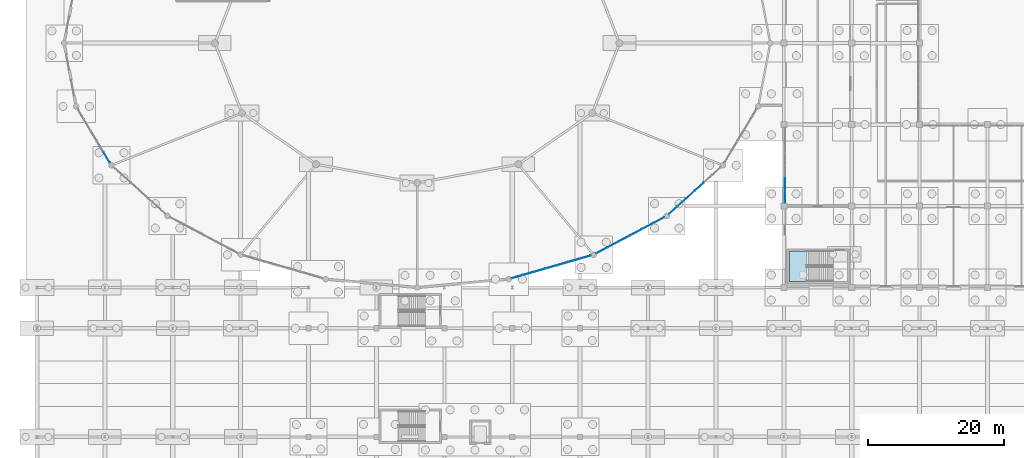
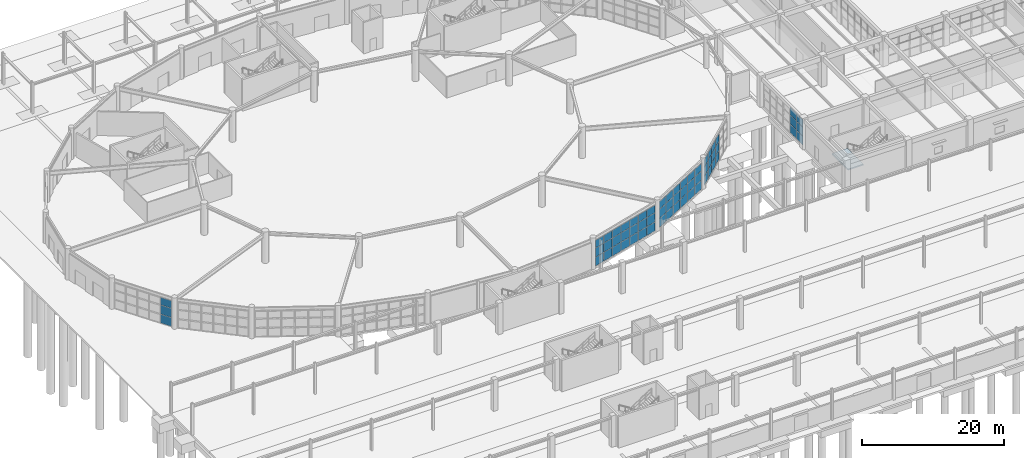
# One storey, part 66 of 99: 60 plates, 1 slab, 6 elements without a shape of their own.
"""IFC4 building model written with IfcOpenShell, lengths in metres."""

from ifc_helpers import new_model, si_unit, direction, frame, origin, origin_2d, place, context, subcontext, project, spatial, polyline, rectangle, outline, extrude, material, layer, layer_set, type_object, element, aggregate, save


model = new_model("IFC4")

# Units and contexts
model_context = context("Model", 3, precision=1e-05, world=origin(), true_north=direction((0.0, 1.0)))
body_context = subcontext(model_context, "Body", "Model", "MODEL_VIEW")
ifc_project = project(units=[si_unit("LENGTHUNIT", "METRE"), si_unit("AREAUNIT", "SQUARE_METRE"), si_unit("VOLUMEUNIT", "CUBIC_METRE"), si_unit("PLANEANGLEUNIT", "RADIAN"), si_unit("MASSUNIT", "GRAM", prefix="KILO")], contexts=[model_context])

# Site, building, storey
site_placement = place(None, origin())
site = spatial("IfcSite", under=ifc_project, at=site_placement, CompositionType="ELEMENT")
building_placement = place(site_placement, origin())
building = spatial("IfcBuilding", under=site, at=building_placement, Name="Kivolera Central Railway Station", CompositionType="ELEMENT")
storey_placement = place(building_placement, origin())
storey = spatial("IfcBuildingStorey", under=building, at=storey_placement, Name="L00", CompositionType="ELEMENT", Elevation=0.0)

# Curtain wall, plates
ifc_material_1 = material(Name="Anodised aluminium", Category="aluminium")
ifc_layer_1 = layer(ifc_material_1, 0.179931640625, Name="Anodised aluminium")
ifc_layer_set_1 = layer_set([ifc_layer_1], Name="Anodised aluminium")
curtain_wall_type_1 = type_object("IfcCurtainWallType", Name="CW-SYS-07", PredefinedType="NOTDEFINED", material=ifc_layer_set_1)
curtain_wall_1_placement = place(storey_placement, origin())
curtain_wall_1 = element("IfcCurtainWall", 1, at=curtain_wall_1_placement, inside=storey, type_object=curtain_wall_type_1, Name="L00 Curtain Wall CW-L00-OVL-20", PredefinedType="NOTDEFINED")
ifc_material_2 = material(Name="Double low-E laminated glass", Category="glass")
ifc_layer_2 = layer(ifc_material_2, 0.02587890625, Name="Double low-E laminated glass")
ifc_layer_set_2 = layer_set([ifc_layer_2], Name="Double low-E laminated glass")
plate_type_1 = type_object("IfcPlateType", Name="CWP-GLZ-1", PredefinedType="CURTAIN_PANEL", material=ifc_layer_set_2)
plate_1_placement = place(storey_placement, frame((99.56298828125, 63.90234375, 0.05810546875), z_axis=(0.0, 0.0, 1.0), x_axis=(-0.883170250772, -0.46905256438, 0.0)))
plate_1 = element("IfcPlate", 2, at=plate_1_placement, type_object=plate_type_1, Name="CW-07 panel 1.1", PredefinedType="CURTAIN_PANEL", context=body_context, shape_type="SweptSolid", body=[
    extrude(rectangle(XDim=1.818115234375, YDim=0.02587890625, at=origin_2d()), origin(), (0.0, 0.0, 1.0), 1.511474609375),
])
plate_2_placement = place(storey_placement, frame((99.56298828125, 63.90234375, 1.615478515625), z_axis=(0.0, 0.0, 1.0), x_axis=(-0.883170250772, -0.46905256438, 0.0)))
plate_2 = element("IfcPlate", 3, at=plate_2_placement, type_object=plate_type_1, Name="CW-07 panel 1.2", PredefinedType="CURTAIN_PANEL", context=body_context, shape_type="SweptSolid", body=[
    extrude(rectangle(XDim=1.818115234375, YDim=0.02587890625, at=origin_2d()), origin(), (0.0, 0.0, 1.0), 1.54638671875),
])
plate_3_placement = place(storey_placement, frame((99.56298828125, 63.90234375, 3.2080078125), z_axis=(0.0, 0.0, 1.0), x_axis=(-0.883170250772, -0.46905256438, 0.0)))
plate_3 = element("IfcPlate", 4, at=plate_3_placement, type_object=plate_type_1, Name="CW-07 panel 1.3", PredefinedType="CURTAIN_PANEL", context=body_context, shape_type="SweptSolid", body=[
    extrude(rectangle(XDim=1.818115234375, YDim=0.02587890625, at=origin_2d()), origin(), (0.0, 0.0, 1.0), 1.283935546875),
])
plate_4_placement = place(storey_placement, frame((97.90087890625, 63.019775390625, 0.05810546875), z_axis=(0.0, 0.0, 1.0), x_axis=(-0.883170250772, -0.46905256438, 0.0)))
plate_4 = element("IfcPlate", 5, at=plate_4_placement, type_object=plate_type_1, Name="CW-07 panel 2.1", PredefinedType="CURTAIN_PANEL", context=body_context, shape_type="SweptSolid", body=[
    extrude(rectangle(XDim=1.853271484375, YDim=0.02587890625, at=origin_2d()), origin(), (0.0, 0.0, 1.0), 1.511474609375),
])
plate_5_placement = place(storey_placement, frame((97.90087890625, 63.019775390625, 1.615478515625), z_axis=(0.0, 0.0, 1.0), x_axis=(-0.883170250772, -0.46905256438, 0.0)))
plate_5 = element("IfcPlate", 6, at=plate_5_placement, type_object=plate_type_1, Name="CW-07 panel 2.2", PredefinedType="CURTAIN_PANEL", context=body_context, shape_type="SweptSolid", body=[
    extrude(rectangle(XDim=1.853271484375, YDim=0.02587890625, at=origin_2d()), origin(), (0.0, 0.0, 1.0), 1.54638671875),
])
plate_6_placement = place(storey_placement, frame((97.90087890625, 63.019775390625, 3.2080078125), z_axis=(0.0, 0.0, 1.0), x_axis=(-0.883170250772, -0.46905256438, 0.0)))
plate_6 = element("IfcPlate", 7, at=plate_6_placement, type_object=plate_type_1, Name="CW-07 panel 2.3", PredefinedType="CURTAIN_PANEL", context=body_context, shape_type="SweptSolid", body=[
    extrude(rectangle(XDim=1.853271484375, YDim=0.02587890625, at=origin_2d()), origin(), (0.0, 0.0, 1.0), 1.283935546875),
])
plate_7_placement = place(storey_placement, frame((96.2236328125, 62.12890625, 0.05810546875), z_axis=(0.0, 0.0, 1.0), x_axis=(-0.883170250772, -0.46905256438, 0.0)))
plate_7 = element("IfcPlate", 8, at=plate_7_placement, type_object=plate_type_1, Name="CW-07 panel 3.1", PredefinedType="CURTAIN_PANEL", context=body_context, shape_type="SweptSolid", body=[
    extrude(rectangle(XDim=1.853271484375, YDim=0.02587890625, at=origin_2d()), origin(), (0.0, 0.0, 1.0), 1.511474609375),
])
plate_8_placement = place(storey_placement, frame((96.2236328125, 62.12890625, 1.615478515625), z_axis=(0.0, 0.0, 1.0), x_axis=(-0.883170250772, -0.46905256438, 0.0)))
plate_8 = element("IfcPlate", 9, at=plate_8_placement, type_object=plate_type_1, Name="CW-07 panel 3.2", PredefinedType="CURTAIN_PANEL", context=body_context, shape_type="SweptSolid", body=[
    extrude(rectangle(XDim=1.853271484375, YDim=0.02587890625, at=origin_2d()), origin(), (0.0, 0.0, 1.0), 1.54638671875),
])
plate_9_placement = place(storey_placement, frame((96.2236328125, 62.12890625, 3.2080078125), z_axis=(0.0, 0.0, 1.0), x_axis=(-0.883170250772, -0.46905256438, 0.0)))
plate_9 = element("IfcPlate", 10, at=plate_9_placement, type_object=plate_type_1, Name="CW-07 panel 3.3", PredefinedType="CURTAIN_PANEL", context=body_context, shape_type="SweptSolid", body=[
    extrude(rectangle(XDim=1.853271484375, YDim=0.02587890625, at=origin_2d()), origin(), (0.0, 0.0, 1.0), 1.283935546875),
])
plate_10_placement = place(storey_placement, frame((94.54638671875, 61.238037109375, 0.05810546875), z_axis=(0.0, 0.0, 1.0), x_axis=(-0.883170250772, -0.46905256438, 0.0)))
plate_10 = element("IfcPlate", 11, at=plate_10_placement, type_object=plate_type_1, Name="CW-07 panel 4.1", PredefinedType="CURTAIN_PANEL", context=body_context, shape_type="SweptSolid", body=[
    extrude(rectangle(XDim=1.853271484375, YDim=0.02587890625, at=origin_2d()), origin(), (0.0, 0.0, 1.0), 1.511474609375),
])
plate_11_placement = place(storey_placement, frame((94.54638671875, 61.238037109375, 1.615478515625), z_axis=(0.0, 0.0, 1.0), x_axis=(-0.883170250772, -0.46905256438, 0.0)))
plate_11 = element("IfcPlate", 12, at=plate_11_placement, type_object=plate_type_1, Name="CW-07 panel 4.2", PredefinedType="CURTAIN_PANEL", context=body_context, shape_type="SweptSolid", body=[
    extrude(rectangle(XDim=1.853271484375, YDim=0.02587890625, at=origin_2d()), origin(), (0.0, 0.0, 1.0), 1.54638671875),
])
plate_12_placement = place(storey_placement, frame((94.54638671875, 61.238037109375, 3.2080078125), z_axis=(0.0, 0.0, 1.0), x_axis=(-0.883170250772, -0.46905256438, 0.0)))
plate_12 = element("IfcPlate", 13, at=plate_12_placement, type_object=plate_type_1, Name="CW-07 panel 4.3", PredefinedType="CURTAIN_PANEL", context=body_context, shape_type="SweptSolid", body=[
    extrude(rectangle(XDim=1.853271484375, YDim=0.02587890625, at=origin_2d()), origin(), (0.0, 0.0, 1.0), 1.283935546875),
])
plate_13_placement = place(storey_placement, frame((92.868896484375, 60.34716796875, 0.05810546875), z_axis=(0.0, 0.0, 1.0), x_axis=(-0.883170250772, -0.46905256438, 0.0)))
plate_13 = element("IfcPlate", 14, at=plate_13_placement, type_object=plate_type_1, Name="CW-07 panel 5.1", PredefinedType="CURTAIN_PANEL", context=body_context, shape_type="SweptSolid", body=[
    extrude(rectangle(XDim=1.853271484375, YDim=0.02587890625, at=origin_2d()), origin(), (0.0, 0.0, 1.0), 1.511474609375),
])
plate_14_placement = place(storey_placement, frame((92.868896484375, 60.34716796875, 1.615478515625), z_axis=(0.0, 0.0, 1.0), x_axis=(-0.883170250772, -0.46905256438, 0.0)))
plate_14 = element("IfcPlate", 15, at=plate_14_placement, type_object=plate_type_1, Name="CW-07 panel 5.2", PredefinedType="CURTAIN_PANEL", context=body_context, shape_type="SweptSolid", body=[
    extrude(rectangle(XDim=1.853271484375, YDim=0.02587890625, at=origin_2d()), origin(), (0.0, 0.0, 1.0), 1.54638671875),
])
plate_15_placement = place(storey_placement, frame((92.868896484375, 60.34716796875, 3.2080078125), z_axis=(0.0, 0.0, 1.0), x_axis=(-0.883170250772, -0.46905256438, 0.0)))
plate_15 = element("IfcPlate", 16, at=plate_15_placement, type_object=plate_type_1, Name="CW-07 panel 5.3", PredefinedType="CURTAIN_PANEL", context=body_context, shape_type="SweptSolid", body=[
    extrude(rectangle(XDim=1.853271484375, YDim=0.02587890625, at=origin_2d()), origin(), (0.0, 0.0, 1.0), 1.283935546875),
])
plate_16_placement = place(storey_placement, frame((91.20703125, 59.464599609375, 0.05810546875), z_axis=(0.0, 0.0, 1.0), x_axis=(-0.883170250772, -0.46905256438, 0.0)))
plate_16 = element("IfcPlate", 17, at=plate_16_placement, type_object=plate_type_1, Name="CW-07 panel 6.1", PredefinedType="CURTAIN_PANEL", context=body_context, shape_type="SweptSolid", body=[
    extrude(rectangle(XDim=1.818115234375, YDim=0.02587890625, at=origin_2d()), origin(), (0.0, 0.0, 1.0), 1.511474609375),
])
plate_17_placement = place(storey_placement, frame((91.20703125, 59.464599609375, 1.615478515625), z_axis=(0.0, 0.0, 1.0), x_axis=(-0.883170250772, -0.46905256438, 0.0)))
plate_17 = element("IfcPlate", 18, at=plate_17_placement, type_object=plate_type_1, Name="CW-07 panel 6.2", PredefinedType="CURTAIN_PANEL", context=body_context, shape_type="SweptSolid", body=[
    extrude(rectangle(XDim=1.818115234375, YDim=0.02587890625, at=origin_2d()), origin(), (0.0, 0.0, 1.0), 1.54638671875),
])
plate_18_placement = place(storey_placement, frame((91.20703125, 59.464599609375, 3.2080078125), z_axis=(0.0, 0.0, 1.0), x_axis=(-0.883170250772, -0.46905256438, 0.0)))
plate_18 = element("IfcPlate", 19, at=plate_18_placement, type_object=plate_type_1, Name="CW-07 panel 6.3", PredefinedType="CURTAIN_PANEL", context=body_context, shape_type="SweptSolid", body=[
    extrude(rectangle(XDim=1.818115234375, YDim=0.02587890625, at=origin_2d()), origin(), (0.0, 0.0, 1.0), 1.283935546875),
])
aggregate(curtain_wall_1, [plate_1, plate_2, plate_3, plate_4, plate_5, plate_6, plate_7, plate_8, plate_9, plate_10, plate_11, plate_12, plate_13, plate_14, plate_15, plate_16, plate_17, plate_18])

ifc_layer_3 = layer(ifc_material_1, 0.179931640625, Name="Anodised aluminium")
ifc_layer_set_3 = layer_set([ifc_layer_3], Name="Anodised aluminium")
curtain_wall_type_2 = type_object("IfcCurtainWallType", Name="CW-SYS-04", PredefinedType="NOTDEFINED", material=ifc_layer_set_3)
curtain_wall_2_placement = place(storey_placement, origin())
curtain_wall_2 = element("IfcCurtainWall", 20, at=curtain_wall_2_placement, inside=storey, type_object=curtain_wall_type_2, Name="L00 Curtain Wall CW-L00-OVL-21", PredefinedType="NOTDEFINED")
ifc_layer_4 = layer(ifc_material_2, 0.030029296875, Name="Double low-E laminated glass")
ifc_layer_set_4 = layer_set([ifc_layer_4], Name="Double low-E laminated glass")
plate_type_2 = type_object("IfcPlateType", Name="CWP-GLZ-2", PredefinedType="CURTAIN_PANEL", material=ifc_layer_set_4)
plate_19_placement = place(storey_placement, frame((105.54052734375, 68.8486328125, 0.05810546875), z_axis=(0.0, 0.0, 1.0), x_axis=(-0.742431873669, -0.669921572246, 0.0)))
plate_19 = element("IfcPlate", 21, at=plate_19_placement, type_object=plate_type_2, Name="CW-04 panel 3.1", PredefinedType="CURTAIN_PANEL", context=body_context, shape_type="SweptSolid", body=[
    extrude(rectangle(XDim=1.675537109375, YDim=0.030029296875, at=origin_2d()), origin(), (0.0, 0.0, 1.0), 1.511474609375),
])
plate_20_placement = place(storey_placement, frame((105.54052734375, 68.8486328125, 1.615478515625), z_axis=(0.0, 0.0, 1.0), x_axis=(-0.742431873669, -0.669921572246, 0.0)))
plate_20 = element("IfcPlate", 22, at=plate_20_placement, type_object=plate_type_2, Name="CW-04 panel 3.2", PredefinedType="CURTAIN_PANEL", context=body_context, shape_type="SweptSolid", body=[
    extrude(rectangle(XDim=1.675537109375, YDim=0.030029296875, at=origin_2d()), origin(), (0.0, 0.0, 1.0), 1.54638671875),
])
plate_21_placement = place(storey_placement, frame((105.54052734375, 68.8486328125, 3.2080078125), z_axis=(0.0, 0.0, 1.0), x_axis=(-0.742431873669, -0.669921572246, 0.0)))
plate_21 = element("IfcPlate", 23, at=plate_21_placement, type_object=plate_type_2, Name="CW-04 panel 3.3", PredefinedType="CURTAIN_PANEL", context=body_context, shape_type="SweptSolid", body=[
    extrude(rectangle(XDim=1.675537109375, YDim=0.030029296875, at=origin_2d()), origin(), (0.0, 0.0, 1.0), 1.283935546875),
])
plate_22_placement = place(storey_placement, frame((104.262451171875, 67.6953125, 0.05810546875), z_axis=(0.0, 0.0, 1.0), x_axis=(-0.742431873669, -0.669921572246, 0.0)))
plate_22 = element("IfcPlate", 24, at=plate_22_placement, type_object=plate_type_2, Name="CW-04 panel 4.1", PredefinedType="CURTAIN_PANEL", context=body_context, shape_type="SweptSolid", body=[
    extrude(rectangle(XDim=1.675537109375, YDim=0.030029296875, at=origin_2d()), origin(), (0.0, 0.0, 1.0), 1.511474609375),
])
plate_23_placement = place(storey_placement, frame((104.262451171875, 67.6953125, 1.615478515625), z_axis=(0.0, 0.0, 1.0), x_axis=(-0.742431873669, -0.669921572246, 0.0)))
plate_23 = element("IfcPlate", 25, at=plate_23_placement, type_object=plate_type_2, Name="CW-04 panel 4.2", PredefinedType="CURTAIN_PANEL", context=body_context, shape_type="SweptSolid", body=[
    extrude(rectangle(XDim=1.675537109375, YDim=0.030029296875, at=origin_2d()), origin(), (0.0, 0.0, 1.0), 1.54638671875),
])
plate_24_placement = place(storey_placement, frame((104.262451171875, 67.6953125, 3.2080078125), z_axis=(0.0, 0.0, 1.0), x_axis=(-0.742431873669, -0.669921572246, 0.0)))
plate_24 = element("IfcPlate", 26, at=plate_24_placement, type_object=plate_type_2, Name="CW-04 panel 4.3", PredefinedType="CURTAIN_PANEL", context=body_context, shape_type="SweptSolid", body=[
    extrude(rectangle(XDim=1.675537109375, YDim=0.030029296875, at=origin_2d()), origin(), (0.0, 0.0, 1.0), 1.283935546875),
])
plate_25_placement = place(storey_placement, frame((102.984130859375, 66.5419921875, 0.05810546875), z_axis=(0.0, 0.0, 1.0), x_axis=(-0.742431873669, -0.669921572246, 0.0)))
plate_25 = element("IfcPlate", 27, at=plate_25_placement, type_object=plate_type_2, Name="CW-04 panel 5.1", PredefinedType="CURTAIN_PANEL", context=body_context, shape_type="SweptSolid", body=[
    extrude(rectangle(XDim=1.675537109375, YDim=0.030029296875, at=origin_2d()), origin(), (0.0, 0.0, 1.0), 1.511474609375),
])
plate_26_placement = place(storey_placement, frame((102.984130859375, 66.5419921875, 1.615478515625), z_axis=(0.0, 0.0, 1.0), x_axis=(-0.742431873669, -0.669921572246, 0.0)))
plate_26 = element("IfcPlate", 28, at=plate_26_placement, type_object=plate_type_2, Name="CW-04 panel 5.2", PredefinedType="CURTAIN_PANEL", context=body_context, shape_type="SweptSolid", body=[
    extrude(rectangle(XDim=1.675537109375, YDim=0.030029296875, at=origin_2d()), origin(), (0.0, 0.0, 1.0), 1.54638671875),
])
plate_27_placement = place(storey_placement, frame((102.984130859375, 66.5419921875, 3.2080078125), z_axis=(0.0, 0.0, 1.0), x_axis=(-0.742431873669, -0.669921572246, 0.0)))
plate_27 = element("IfcPlate", 29, at=plate_27_placement, type_object=plate_type_2, Name="CW-04 panel 5.3", PredefinedType="CURTAIN_PANEL", context=body_context, shape_type="SweptSolid", body=[
    extrude(rectangle(XDim=1.675537109375, YDim=0.030029296875, at=origin_2d()), origin(), (0.0, 0.0, 1.0), 1.283935546875),
])
plate_28_placement = place(storey_placement, frame((101.718994140625, 65.400390625, 0.05810546875), z_axis=(0.0, 0.0, 1.0), x_axis=(-0.742431873669, -0.669921572246, 0.0)))
plate_28 = element("IfcPlate", 30, at=plate_28_placement, type_object=plate_type_2, Name="CW-04 panel 6.1", PredefinedType="CURTAIN_PANEL", context=body_context, shape_type="SweptSolid", body=[
    extrude(rectangle(XDim=1.640625, YDim=0.030029296875, at=origin_2d()), origin(), (0.0, 0.0, 1.0), 1.511474609375),
])
plate_29_placement = place(storey_placement, frame((101.718994140625, 65.400390625, 1.615478515625), z_axis=(0.0, 0.0, 1.0), x_axis=(-0.742431873669, -0.669921572246, 0.0)))
plate_29 = element("IfcPlate", 31, at=plate_29_placement, type_object=plate_type_2, Name="CW-04 panel 6.2", PredefinedType="CURTAIN_PANEL", context=body_context, shape_type="SweptSolid", body=[
    extrude(rectangle(XDim=1.640625, YDim=0.030029296875, at=origin_2d()), origin(), (0.0, 0.0, 1.0), 1.54638671875),
])
plate_30_placement = place(storey_placement, frame((101.718994140625, 65.400390625, 3.2080078125), z_axis=(0.0, 0.0, 1.0), x_axis=(-0.742431873669, -0.669921572246, 0.0)))
plate_30 = element("IfcPlate", 32, at=plate_30_placement, type_object=plate_type_2, Name="CW-04 panel 6.3", PredefinedType="CURTAIN_PANEL", context=body_context, shape_type="SweptSolid", body=[
    extrude(rectangle(XDim=1.640625, YDim=0.030029296875, at=origin_2d()), origin(), (0.0, 0.0, 1.0), 1.283935546875),
])
aggregate(curtain_wall_2, [plate_19, plate_20, plate_21, plate_22, plate_23, plate_24, plate_25, plate_26, plate_27, plate_28, plate_29, plate_30])

ifc_layer_5 = layer(ifc_material_1, 0.179931640625, Name="Anodised aluminium")
ifc_layer_set_5 = layer_set([ifc_layer_5], Name="Anodised aluminium")
curtain_wall_type_3 = type_object("IfcCurtainWallType", Name="CW-SYS-23", PredefinedType="NOTDEFINED", material=ifc_layer_set_5)
curtain_wall_3_placement = place(storey_placement, origin())
curtain_wall_3 = element("IfcCurtainWall", 33, at=curtain_wall_3_placement, inside=storey, type_object=curtain_wall_type_3, Name="L00 Curtain Wall CW-L00-WEST-F", PredefinedType="NOTDEFINED")
plate_31_placement = place(storey_placement, frame((118.169921875, 67.388427734375, 0.05810546875), z_axis=(0.0, 0.0, 1.0), x_axis=(0.0, 1.0, 0.0)))
plate_31 = element("IfcPlate", 34, at=plate_31_placement, type_object=plate_type_2, Name="CW-23 panel 1.1", PredefinedType="CURTAIN_PANEL", context=body_context, shape_type="SweptSolid", body=[
    extrude(rectangle(XDim=1.770751953125, YDim=0.030029296875, at=origin_2d()), origin(), (0.0, 0.0, 1.0), 1.479248046875),
])
plate_32_placement = place(storey_placement, frame((118.169921875, 67.388427734375, 1.5830078125), z_axis=(0.0, 0.0, 1.0), x_axis=(0.0, 1.0, 0.0)))
plate_32 = element("IfcPlate", 35, at=plate_32_placement, type_object=plate_type_2, Name="CW-23 panel 1.2", PredefinedType="CURTAIN_PANEL", context=body_context, shape_type="SweptSolid", body=[
    extrude(rectangle(XDim=1.770751953125, YDim=0.030029296875, at=origin_2d()), origin(), (0.0, 0.0, 1.0), 1.514404296875),
])
plate_33_placement = place(storey_placement, frame((118.169921875, 67.388427734375, 3.1435546875), z_axis=(0.0, 0.0, 1.0), x_axis=(0.0, 1.0, 0.0)))
plate_33 = element("IfcPlate", 36, at=plate_33_placement, type_object=plate_type_2, Name="CW-23 panel 1.3", PredefinedType="CURTAIN_PANEL", context=body_context, shape_type="SweptSolid", body=[
    extrude(rectangle(XDim=1.770751953125, YDim=0.030029296875, at=origin_2d()), origin(), (0.0, 0.0, 1.0), 1.25634765625),
])
plate_34_placement = place(storey_placement, frame((118.169921875, 69.222412109375, 0.05810546875), z_axis=(0.0, 0.0, 1.0), x_axis=(0.0, 1.0, 0.0)))
plate_34 = element("IfcPlate", 37, at=plate_34_placement, type_object=plate_type_2, Name="CW-23 panel 2.1", PredefinedType="CURTAIN_PANEL", context=body_context, shape_type="SweptSolid", body=[
    extrude(rectangle(XDim=1.8056640625, YDim=0.030029296875, at=origin_2d()), origin(), (0.0, 0.0, 1.0), 1.479248046875),
])
plate_35_placement = place(storey_placement, frame((118.169921875, 69.222412109375, 1.5830078125), z_axis=(0.0, 0.0, 1.0), x_axis=(0.0, 1.0, 0.0)))
plate_35 = element("IfcPlate", 38, at=plate_35_placement, type_object=plate_type_2, Name="CW-23 panel 2.2", PredefinedType="CURTAIN_PANEL", context=body_context, shape_type="SweptSolid", body=[
    extrude(rectangle(XDim=1.8056640625, YDim=0.030029296875, at=origin_2d()), origin(), (0.0, 0.0, 1.0), 1.514404296875),
])
plate_36_placement = place(storey_placement, frame((118.169921875, 69.222412109375, 3.1435546875), z_axis=(0.0, 0.0, 1.0), x_axis=(0.0, 1.0, 0.0)))
plate_36 = element("IfcPlate", 39, at=plate_36_placement, type_object=plate_type_2, Name="CW-23 panel 2.3", PredefinedType="CURTAIN_PANEL", context=body_context, shape_type="SweptSolid", body=[
    extrude(rectangle(XDim=1.8056640625, YDim=0.030029296875, at=origin_2d()), origin(), (0.0, 0.0, 1.0), 1.25634765625),
])
aggregate(curtain_wall_3, [plate_31, plate_32, plate_33, plate_34, plate_35, plate_36])

ifc_layer_6 = layer(ifc_material_1, 0.179931640625, Name="Anodised aluminium")
ifc_layer_set_6 = layer_set([ifc_layer_6], Name="Anodised aluminium")
curtain_wall_type_4 = type_object("IfcCurtainWallType", Name="CW-SYS-01", PredefinedType="NOTDEFINED", material=ifc_layer_set_6)
curtain_wall_4_placement = place(storey_placement, origin())
curtain_wall_4 = element("IfcCurtainWall", 40, at=curtain_wall_4_placement, inside=storey, type_object=curtain_wall_type_4, Name="L00 Curtain Wall CW-L00-OVL-13", PredefinedType="NOTDEFINED")
ifc_layer_7 = layer(ifc_material_2, 0.0380859375, Name="Double low-E laminated glass")
ifc_layer_set_7 = layer_set([ifc_layer_7], Name="Double low-E laminated glass")
plate_type_3 = type_object("IfcPlateType", Name="CWP-GLZ-4", PredefinedType="CURTAIN_PANEL", material=ifc_layer_set_7)
plate_37_placement = place(storey_placement, frame((18.2744140625, 73.15771484375, 0.05810546875), z_axis=(0.0, 0.0, 1.0), x_axis=(-0.513453894052, 0.858117182372, 0.0)))
plate_37 = element("IfcPlate", 41, at=plate_37_placement, type_object=plate_type_3, Name="CW-01 panel 1.1", PredefinedType="CURTAIN_PANEL", context=body_context, shape_type="SweptSolid", body=[
    extrude(rectangle(XDim=1.782958984375, YDim=0.0380859375, at=origin_2d()), origin(), (0.0, 0.0, 1.0), 1.511474609375),
])
plate_38_placement = place(storey_placement, frame((18.2744140625, 73.15771484375, 1.615478515625), z_axis=(0.0, 0.0, 1.0), x_axis=(-0.513453894052, 0.858117182372, 0.0)))
plate_38 = element("IfcPlate", 42, at=plate_38_placement, type_object=plate_type_3, Name="CW-01 panel 1.2", PredefinedType="CURTAIN_PANEL", context=body_context, shape_type="SweptSolid", body=[
    extrude(rectangle(XDim=1.782958984375, YDim=0.0380859375, at=origin_2d()), origin(), (0.0, 0.0, 1.0), 1.54638671875),
])
plate_39_placement = place(storey_placement, frame((18.2744140625, 73.15771484375, 3.2080078125), z_axis=(0.0, 0.0, 1.0), x_axis=(-0.513453894052, 0.858117182372, 0.0)))
plate_39 = element("IfcPlate", 43, at=plate_39_placement, type_object=plate_type_3, Name="CW-01 panel 1.3", PredefinedType="CURTAIN_PANEL", context=body_context, shape_type="SweptSolid", body=[
    extrude(rectangle(XDim=1.782958984375, YDim=0.0380859375, at=origin_2d()), origin(), (0.0, 0.0, 1.0), 1.283935546875),
])
aggregate(curtain_wall_4, [plate_37, plate_38, plate_39])

ifc_layer_8 = layer(ifc_material_1, 0.179931640625, Name="Anodised aluminium")
ifc_layer_set_8 = layer_set([ifc_layer_8], Name="Anodised aluminium")
curtain_wall_type_5 = type_object("IfcCurtainWallType", Name="CW-SYS-16", PredefinedType="NOTDEFINED", material=ifc_layer_set_8)
curtain_wall_5_placement = place(storey_placement, origin())
curtain_wall_5 = element("IfcCurtainWall", 44, at=curtain_wall_5_placement, inside=storey, type_object=curtain_wall_type_5, Name="L00 Curtain Wall CW-L00-OVL-19", PredefinedType="NOTDEFINED")
ifc_layer_9 = layer(ifc_material_2, 0.0419921875, Name="Double low-E laminated glass")
ifc_layer_set_9 = layer_set([ifc_layer_9], Name="Double low-E laminated glass")
plate_type_4 = type_object("IfcPlateType", Name="CWP-GLZ-5", PredefinedType="CURTAIN_PANEL", material=ifc_layer_set_9)
plate_40_placement = place(storey_placement, frame((88.75732421875, 58.467041015625, 0.05810546875), z_axis=(0.0, 0.0, 1.0), x_axis=(-0.961246112288, -0.275691696668, 0.0)))
plate_40 = element("IfcPlate", 45, at=plate_40_placement, type_object=plate_type_4, Name="CW-16 panel 1.1", PredefinedType="CURTAIN_PANEL", context=body_context, shape_type="SweptSolid", body=[
    extrude(rectangle(XDim=1.66845703125, YDim=0.0419921875, at=origin_2d()), origin(), (0.0, 0.0, 1.0), 1.511474609375),
])
plate_41_placement = place(storey_placement, frame((88.75732421875, 58.467041015625, 1.615478515625), z_axis=(0.0, 0.0, 1.0), x_axis=(-0.961246112288, -0.275691696668, 0.0)))
plate_41 = element("IfcPlate", 46, at=plate_41_placement, type_object=plate_type_4, Name="CW-16 panel 1.2", PredefinedType="CURTAIN_PANEL", context=body_context, shape_type="SweptSolid", body=[
    extrude(rectangle(XDim=1.66845703125, YDim=0.0419921875, at=origin_2d()), origin(), (0.0, 0.0, 1.0), 1.54638671875),
])
plate_42_placement = place(storey_placement, frame((88.75732421875, 58.467041015625, 3.2080078125), z_axis=(0.0, 0.0, 1.0), x_axis=(-0.961246112288, -0.275691696668, 0.0)))
plate_42 = element("IfcPlate", 47, at=plate_42_placement, type_object=plate_type_4, Name="CW-16 panel 1.3", PredefinedType="CURTAIN_PANEL", context=body_context, shape_type="SweptSolid", body=[
    extrude(rectangle(XDim=1.66845703125, YDim=0.0419921875, at=origin_2d()), origin(), (0.0, 0.0, 1.0), 1.283935546875),
])
plate_43_placement = place(storey_placement, frame((87.092529296875, 57.989501953125, 0.05810546875), z_axis=(0.0, 0.0, 1.0), x_axis=(-0.961246112288, -0.275691696668, 0.0)))
plate_43 = element("IfcPlate", 48, at=plate_43_placement, type_object=plate_type_4, Name="CW-16 panel 2.1", PredefinedType="CURTAIN_PANEL", context=body_context, shape_type="SweptSolid", body=[
    extrude(rectangle(XDim=1.703369140625, YDim=0.0419921875, at=origin_2d()), origin(), (0.0, 0.0, 1.0), 1.511474609375),
])
plate_44_placement = place(storey_placement, frame((87.092529296875, 57.989501953125, 1.615478515625), z_axis=(0.0, 0.0, 1.0), x_axis=(-0.961246112288, -0.275691696668, 0.0)))
plate_44 = element("IfcPlate", 49, at=plate_44_placement, type_object=plate_type_4, Name="CW-16 panel 2.2", PredefinedType="CURTAIN_PANEL", context=body_context, shape_type="SweptSolid", body=[
    extrude(rectangle(XDim=1.703369140625, YDim=0.0419921875, at=origin_2d()), origin(), (0.0, 0.0, 1.0), 1.54638671875),
])
plate_45_placement = place(storey_placement, frame((87.092529296875, 57.989501953125, 3.2080078125), z_axis=(0.0, 0.0, 1.0), x_axis=(-0.961246112288, -0.275691696668, 0.0)))
plate_45 = element("IfcPlate", 50, at=plate_45_placement, type_object=plate_type_4, Name="CW-16 panel 2.3", PredefinedType="CURTAIN_PANEL", context=body_context, shape_type="SweptSolid", body=[
    extrude(rectangle(XDim=1.703369140625, YDim=0.0419921875, at=origin_2d()), origin(), (0.0, 0.0, 1.0), 1.283935546875),
])
plate_46_placement = place(storey_placement, frame((85.4111328125, 57.50732421875, 0.05810546875), z_axis=(0.0, 0.0, 1.0), x_axis=(-0.961246112288, -0.275691696668, 0.0)))
plate_46 = element("IfcPlate", 51, at=plate_46_placement, type_object=plate_type_4, Name="CW-16 panel 3.1", PredefinedType="CURTAIN_PANEL", context=body_context, shape_type="SweptSolid", body=[
    extrude(rectangle(XDim=1.703369140625, YDim=0.0419921875, at=origin_2d()), origin(), (0.0, 0.0, 1.0), 1.511474609375),
])
plate_47_placement = place(storey_placement, frame((85.4111328125, 57.50732421875, 1.615478515625), z_axis=(0.0, 0.0, 1.0), x_axis=(-0.961246112288, -0.275691696668, 0.0)))
plate_47 = element("IfcPlate", 52, at=plate_47_placement, type_object=plate_type_4, Name="CW-16 panel 3.2", PredefinedType="CURTAIN_PANEL", context=body_context, shape_type="SweptSolid", body=[
    extrude(rectangle(XDim=1.703369140625, YDim=0.0419921875, at=origin_2d()), origin(), (0.0, 0.0, 1.0), 1.54638671875),
])
plate_48_placement = place(storey_placement, frame((85.4111328125, 57.50732421875, 3.2080078125), z_axis=(0.0, 0.0, 1.0), x_axis=(-0.961246112288, -0.275691696668, 0.0)))
plate_48 = element("IfcPlate", 53, at=plate_48_placement, type_object=plate_type_4, Name="CW-16 panel 3.3", PredefinedType="CURTAIN_PANEL", context=body_context, shape_type="SweptSolid", body=[
    extrude(rectangle(XDim=1.703369140625, YDim=0.0419921875, at=origin_2d()), origin(), (0.0, 0.0, 1.0), 1.283935546875),
])
plate_49_placement = place(storey_placement, frame((83.7294921875, 57.02490234375, 0.05810546875), z_axis=(0.0, 0.0, 1.0), x_axis=(-0.961246112288, -0.275691696668, 0.0)))
plate_49 = element("IfcPlate", 54, at=plate_49_placement, type_object=plate_type_4, Name="CW-16 panel 4.1", PredefinedType="CURTAIN_PANEL", context=body_context, shape_type="SweptSolid", body=[
    extrude(rectangle(XDim=1.703369140625, YDim=0.0419921875, at=origin_2d()), origin(), (0.0, 0.0, 1.0), 1.511474609375),
])
plate_50_placement = place(storey_placement, frame((83.7294921875, 57.02490234375, 1.615478515625), z_axis=(0.0, 0.0, 1.0), x_axis=(-0.961246112288, -0.275691696668, 0.0)))
plate_50 = element("IfcPlate", 55, at=plate_50_placement, type_object=plate_type_4, Name="CW-16 panel 4.2", PredefinedType="CURTAIN_PANEL", context=body_context, shape_type="SweptSolid", body=[
    extrude(rectangle(XDim=1.703369140625, YDim=0.0419921875, at=origin_2d()), origin(), (0.0, 0.0, 1.0), 1.54638671875),
])
plate_51_placement = place(storey_placement, frame((83.7294921875, 57.02490234375, 3.2080078125), z_axis=(0.0, 0.0, 1.0), x_axis=(-0.961246112288, -0.275691696668, 0.0)))
plate_51 = element("IfcPlate", 56, at=plate_51_placement, type_object=plate_type_4, Name="CW-16 panel 4.3", PredefinedType="CURTAIN_PANEL", context=body_context, shape_type="SweptSolid", body=[
    extrude(rectangle(XDim=1.703369140625, YDim=0.0419921875, at=origin_2d()), origin(), (0.0, 0.0, 1.0), 1.283935546875),
])
plate_52_placement = place(storey_placement, frame((82.0478515625, 56.542724609375, 0.05810546875), z_axis=(0.0, 0.0, 1.0), x_axis=(-0.961246112288, -0.275691696668, 0.0)))
plate_52 = element("IfcPlate", 57, at=plate_52_placement, type_object=plate_type_4, Name="CW-16 panel 5.1", PredefinedType="CURTAIN_PANEL", context=body_context, shape_type="SweptSolid", body=[
    extrude(rectangle(XDim=1.703369140625, YDim=0.0419921875, at=origin_2d()), origin(), (0.0, 0.0, 1.0), 1.511474609375),
])
plate_53_placement = place(storey_placement, frame((82.0478515625, 56.542724609375, 1.615478515625), z_axis=(0.0, 0.0, 1.0), x_axis=(-0.961246112288, -0.275691696668, 0.0)))
plate_53 = element("IfcPlate", 58, at=plate_53_placement, type_object=plate_type_4, Name="CW-16 panel 5.2", PredefinedType="CURTAIN_PANEL", context=body_context, shape_type="SweptSolid", body=[
    extrude(rectangle(XDim=1.703369140625, YDim=0.0419921875, at=origin_2d()), origin(), (0.0, 0.0, 1.0), 1.54638671875),
])
plate_54_placement = place(storey_placement, frame((82.0478515625, 56.542724609375, 3.2080078125), z_axis=(0.0, 0.0, 1.0), x_axis=(-0.961246112288, -0.275691696668, 0.0)))
plate_54 = element("IfcPlate", 59, at=plate_54_placement, type_object=plate_type_4, Name="CW-16 panel 5.3", PredefinedType="CURTAIN_PANEL", context=body_context, shape_type="SweptSolid", body=[
    extrude(rectangle(XDim=1.703369140625, YDim=0.0419921875, at=origin_2d()), origin(), (0.0, 0.0, 1.0), 1.283935546875),
])
plate_55_placement = place(storey_placement, frame((80.366455078125, 56.060546875, 0.05810546875), z_axis=(0.0, 0.0, 1.0), x_axis=(-0.961246112288, -0.275691696668, 0.0)))
plate_55 = element("IfcPlate", 60, at=plate_55_placement, type_object=plate_type_4, Name="CW-16 panel 6.1", PredefinedType="CURTAIN_PANEL", context=body_context, shape_type="SweptSolid", body=[
    extrude(rectangle(XDim=1.703369140625, YDim=0.0419921875, at=origin_2d()), origin(), (0.0, 0.0, 1.0), 1.511474609375),
])
plate_56_placement = place(storey_placement, frame((80.366455078125, 56.060546875, 1.615478515625), z_axis=(0.0, 0.0, 1.0), x_axis=(-0.961246112288, -0.275691696668, 0.0)))
plate_56 = element("IfcPlate", 61, at=plate_56_placement, type_object=plate_type_4, Name="CW-16 panel 6.2", PredefinedType="CURTAIN_PANEL", context=body_context, shape_type="SweptSolid", body=[
    extrude(rectangle(XDim=1.703369140625, YDim=0.0419921875, at=origin_2d()), origin(), (0.0, 0.0, 1.0), 1.54638671875),
])
plate_57_placement = place(storey_placement, frame((80.366455078125, 56.060546875, 3.2080078125), z_axis=(0.0, 0.0, 1.0), x_axis=(-0.961246112288, -0.275691696668, 0.0)))
plate_57 = element("IfcPlate", 62, at=plate_57_placement, type_object=plate_type_4, Name="CW-16 panel 6.3", PredefinedType="CURTAIN_PANEL", context=body_context, shape_type="SweptSolid", body=[
    extrude(rectangle(XDim=1.703369140625, YDim=0.0419921875, at=origin_2d()), origin(), (0.0, 0.0, 1.0), 1.283935546875),
])
plate_58_placement = place(storey_placement, frame((78.70166015625, 55.5830078125, 0.05810546875), z_axis=(0.0, 0.0, 1.0), x_axis=(-0.961246112288, -0.275691696668, 0.0)))
plate_58 = element("IfcPlate", 63, at=plate_58_placement, type_object=plate_type_4, Name="CW-16 panel 7.1", PredefinedType="CURTAIN_PANEL", context=body_context, shape_type="SweptSolid", body=[
    extrude(rectangle(XDim=1.66845703125, YDim=0.0419921875, at=origin_2d()), origin(), (0.0, 0.0, 1.0), 1.511474609375),
])
plate_59_placement = place(storey_placement, frame((78.70166015625, 55.5830078125, 1.615478515625), z_axis=(0.0, 0.0, 1.0), x_axis=(-0.961246112288, -0.275691696668, 0.0)))
plate_59 = element("IfcPlate", 64, at=plate_59_placement, type_object=plate_type_4, Name="CW-16 panel 7.2", PredefinedType="CURTAIN_PANEL", context=body_context, shape_type="SweptSolid", body=[
    extrude(rectangle(XDim=1.66845703125, YDim=0.0419921875, at=origin_2d()), origin(), (0.0, 0.0, 1.0), 1.54638671875),
])
plate_60_placement = place(storey_placement, frame((78.70166015625, 55.5830078125, 3.2080078125), z_axis=(0.0, 0.0, 1.0), x_axis=(-0.961246112288, -0.275691696668, 0.0)))
plate_60 = element("IfcPlate", 65, at=plate_60_placement, type_object=plate_type_4, Name="CW-16 panel 7.3", PredefinedType="CURTAIN_PANEL", context=body_context, shape_type="SweptSolid", body=[
    extrude(rectangle(XDim=1.66845703125, YDim=0.0419921875, at=origin_2d()), origin(), (0.0, 0.0, 1.0), 1.283935546875),
])
aggregate(curtain_wall_5, [plate_40, plate_41, plate_42, plate_43, plate_44, plate_45, plate_46, plate_47, plate_48, plate_49, plate_50, plate_51, plate_52, plate_53, plate_54, plate_55, plate_56, plate_57, plate_58, plate_59, plate_60])

# Stair, slab
ifc_material_3 = material(Name="Concrete C40/50", Category="concrete")
stair_type = type_object("IfcStairType", Name="STR-2160-30", PredefinedType="HALF_TURN_STAIR", material=ifc_material_3)
stair_placement = place(storey_placement, origin())
stair = element("IfcStair", 66, at=stair_placement, inside=storey, type_object=stair_type, Name="L00 Protected Exit Stair ST4", PredefinedType="HALF_TURN_STAIR")
ifc_layer_10 = layer(ifc_material_3, 0.199951171875, Name="Concrete C40/50")
ifc_layer_set_10 = layer_set([ifc_layer_10], Name="Concrete C40/50")
slab_type = type_object("IfcSlabType", Name="SLB-LND-200", PredefinedType="LANDING", material=ifc_layer_set_10)
slab_placement = place(storey_placement, frame((0.0, 0.0, 2.5)))
slab = element("IfcSlab", 67, at=slab_placement, type_object=slab_type, Name="ST4 landing 1", PredefinedType="LANDING", context=body_context, shape_type="SweptSolid", body=[
    extrude(outline(polyline([(121.320068359375, 59.39990234375), (118.800048828125, 59.39990234375), (118.800048828125, 54.89990234375), (121.320068359375, 54.89990234375), (121.320068359375, 59.39990234375)])), origin(), (0.0, 0.0, 1.0), 0.199951171875),
])
aggregate(stair, [slab])

save(model, "model.ifc")
